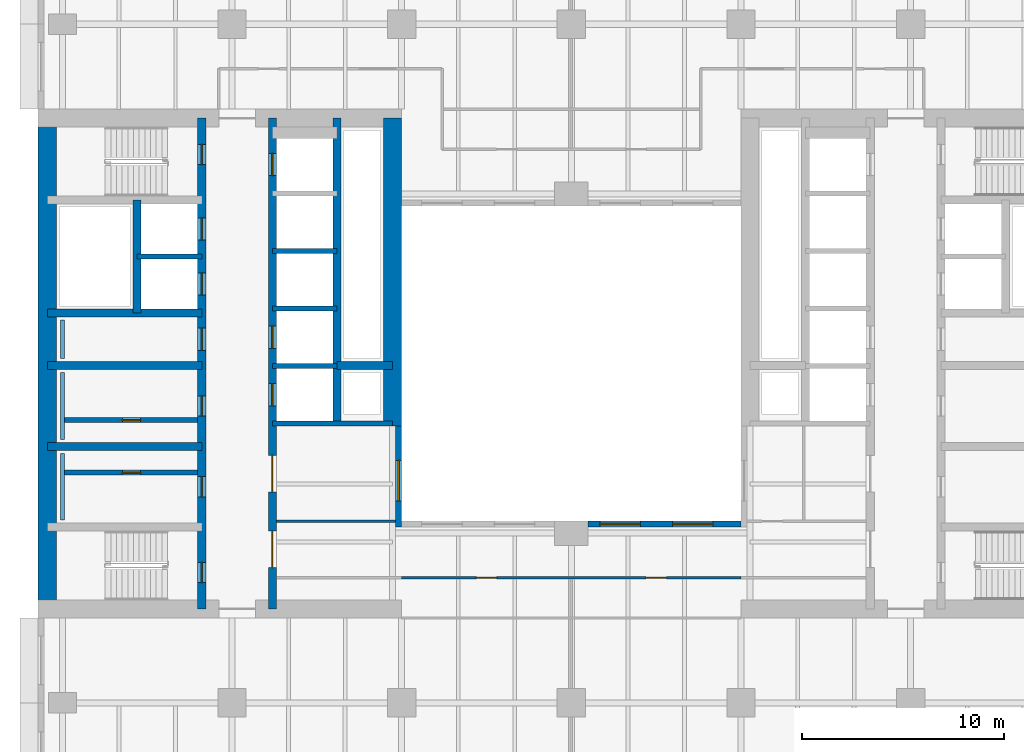
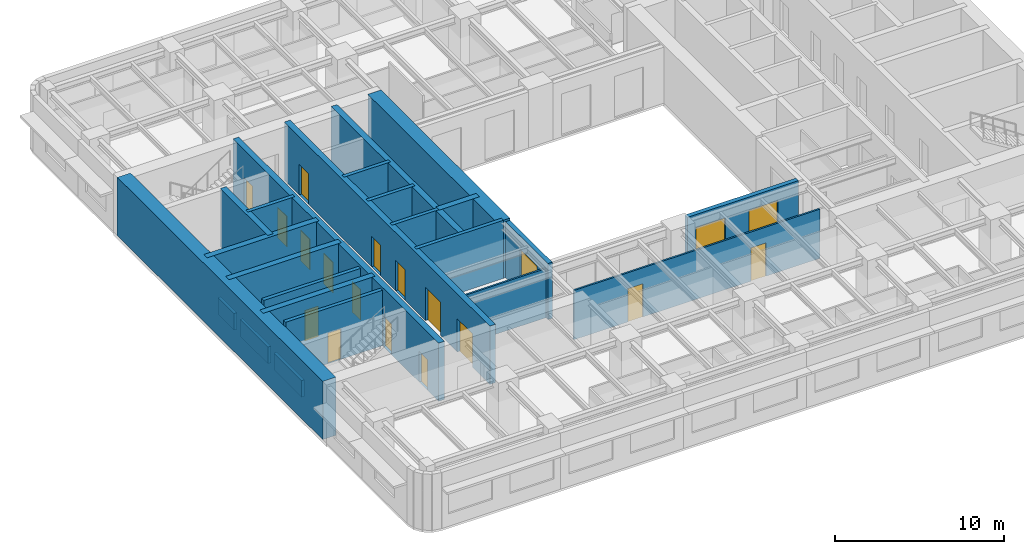
# One storey, part 4 of 11: 24 walls, 16 doors, 3 windows, 19 openings.
"""IFC4 building model written with IfcOpenShell, lengths in metres."""

from ifc_helpers import new_model, si_unit, direction, frame, frame_2d, origin, place, context, subcontext, project, spatial, rectangle, extrude, material, layer, layer_set, type_object, element, fill, save


model = new_model("IFC4")

# Units and contexts
model_context = context("Model", 3, precision=1e-05, world=origin(), true_north=direction((0.0, 1.0)))
body_context = subcontext(model_context, "Body", "Model", "MODEL_VIEW")
ifc_project = project(units=[si_unit("LENGTHUNIT", "METRE"), si_unit("AREAUNIT", "SQUARE_METRE"), si_unit("VOLUMEUNIT", "CUBIC_METRE"), si_unit("PLANEANGLEUNIT", "RADIAN"), si_unit("MASSUNIT", "GRAM", prefix="KILO")], contexts=[model_context])

# Site, building, storey
site_placement = place(None, origin())
site = spatial("IfcSite", under=ifc_project, at=site_placement, CompositionType="ELEMENT")
building_placement = place(site_placement, origin())
building = spatial("IfcBuilding", under=site, at=building_placement, Name="Claustro Exchange Tower", CompositionType="ELEMENT")
storey_placement = place(building_placement, frame((0.0, 0.0, 138.60009765625)))
storey = spatial("IfcBuildingStorey", under=building, at=storey_placement, Name="L31", CompositionType="ELEMENT", Elevation=138.60009765625)

# Wall
ifc_material_1 = material(Name="Laminated glass in aluminium frame", Category="aluminium")
ifc_layer_1 = layer(ifc_material_1, 0.1201171875)
ifc_layer_set_1 = layer_set([ifc_layer_1], Name="Laminated glass in aluminium frame")
wall_type_1 = type_object("IfcWallType", Name="P2 120 glazed partition", PredefinedType="PARTITIONING", material=ifc_layer_set_1)
wall_1_placement = place(storey_placement, frame((10.597900390625, 17.39990234375, 0.0), z_axis=(0.0, 0.0, 1.0), x_axis=(1.0, 0.0, 0.0)))
element("IfcWall", 1, at=wall_1_placement, inside=storey, type_object=wall_type_1, Name="Partition P2 L31", PredefinedType="PARTITIONING", context=body_context, shape_type="SweptSolid", body=[
    extrude(rectangle(XDim=5.904052734375, YDim=0.1201171875, at=frame_2d((2.9521484375, 0.0))), origin(), (0.0, 0.0, 1.0), 3.5498046875),
])

# Wall, openings, doors
wall_2_placement = place(storey_placement, frame((16.798095703125, 14.60009765625, 0.0), z_axis=(0.0, 0.0, 1.0), x_axis=(1.0, 0.0, 0.0)))
wall_2 = element("IfcWall", 2, at=wall_2_placement, inside=storey, type_object=wall_type_1, Name="Partition P2 L31", PredefinedType="PARTITIONING", context=body_context, shape_type="SweptSolid", body=[
    extrude(rectangle(XDim=16.803955078125, YDim=0.1201171875, at=frame_2d((8.40185546875, 0.0))), origin(), (0.0, 0.0, 1.0), 3.5498046875),
])
opening_1_placement = place(wall_2_placement, frame((3.701904296875, 0.0, 0.0)))
opening_1 = element("IfcOpeningElement", 3, at=opening_1_placement, cuts=wall_2, Name="Opening D7", PredefinedType="OPENING", context=body_context, shape_type="SweptSolid", body=[
    extrude(rectangle(XDim=1.0, YDim=2.39990234375, at=frame_2d((0.5, 1.199951171875))), frame((0.0, 0.070068359375, 0.0), z_axis=(0.0, -1.0, 0.0), x_axis=(1.0, 0.0, 0.0)), (0.0, 0.0, 1.0), 0.14013671875),
])
opening_2_placement = place(wall_2_placement, frame((12.10205078125, 0.0, 0.0)))
opening_2 = element("IfcOpeningElement", 4, at=opening_2_placement, cuts=wall_2, Name="Opening D7", PredefinedType="OPENING", context=body_context, shape_type="SweptSolid", body=[
    extrude(rectangle(XDim=1.0, YDim=2.39990234375, at=frame_2d((0.5, 1.199951171875))), frame((0.0, 0.070068359375, 0.0), z_axis=(0.0, -1.0, 0.0), x_axis=(1.0, 0.0, 0.0)), (0.0, 0.0, 1.0), 0.14013671875),
])
ifc_material_2 = material(Name="Glass door in aluminium frame", Category="aluminium")
door_type_1 = type_object("IfcDoorType", Name="D7 1000 x 2400 glazed door", OperationType="SINGLE_SWING_LEFT", PredefinedType="DOOR", material=ifc_material_2)
door_1_placement = place(opening_1_placement, frame((1.0, 0.0, 0.0), z_axis=(0.0, 0.0, 1.0), x_axis=(-1.0, 0.0, 0.0)))
door_1 = element("IfcDoor", 5, at=door_1_placement, inside=storey, type_object=door_type_1, Name="Door D7 L31", OperationType="SINGLE_SWING_RIGHT", OverallHeight=2.39990234375, OverallWidth=1.0, PredefinedType="DOOR", context=body_context, shape_type="SweptSolid", body=[
    extrude(rectangle(XDim=1.0, YDim=2.39990234375, at=frame_2d((0.5, 1.199951171875))), frame((0.0, 0.02490234375, 0.0), z_axis=(0.0, -1.0, 0.0), x_axis=(1.0, 0.0, 0.0)), (0.0, 0.0, 1.0), 0.050048828125),
])
fill(opening_1, door_1)
door_2_placement = place(opening_2_placement, frame((1.0, 0.0, 0.0), z_axis=(0.0, 0.0, 1.0), x_axis=(-1.0, 0.0, 0.0)))
door_2 = element("IfcDoor", 6, at=door_2_placement, inside=storey, type_object=door_type_1, Name="Door D7 L31", OperationType="SINGLE_SWING_RIGHT", OverallHeight=2.39990234375, OverallWidth=1.0, PredefinedType="DOOR", context=body_context, shape_type="SweptSolid", body=[
    extrude(rectangle(XDim=1.0, YDim=2.39990234375, at=frame_2d((0.5, 1.199951171875))), frame((0.0, 0.02490234375, 0.0), z_axis=(0.0, -1.0, 0.0), x_axis=(1.0, 0.0, 0.0)), (0.0, 0.0, 1.0), 0.050048828125),
])
fill(opening_2, door_2)

# Wall, opening, door
ifc_material_3 = material(Name="Concrete blockwork, rendered", Category="masonry")
ifc_layer_2 = layer(ifc_material_3, 0.25)
ifc_layer_set_2 = layer_set([ifc_layer_2], Name="Concrete blockwork, rendered")
wall_type_2 = type_object("IfcWallType", Name="P4 250 blockwork wall", PredefinedType="PARTITIONING", material=ifc_layer_set_2)
wall_3_placement = place(storey_placement, frame((0.10009765625, 22.39990234375, 0.0), z_axis=(0.0, 0.0, 1.0), x_axis=(1.0, 0.0, 0.0)))
wall_3 = element("IfcWall", 7, at=wall_3_placement, inside=storey, type_object=wall_type_2, Name="Partition P4 L31", PredefinedType="PARTITIONING", context=body_context, shape_type="SweptSolid", body=[
    extrude(rectangle(XDim=6.599853515625, YDim=0.25, at=frame_2d((3.2998046875, 0.0))), origin(), (0.0, 0.0, 1.0), 4.0),
])
opening_3_placement = place(wall_3_placement, frame((2.875, 0.0, 0.0)))
opening_3 = element("IfcOpeningElement", 8, at=opening_3_placement, cuts=wall_3, Name="Opening D5", PredefinedType="OPENING", context=body_context, shape_type="SweptSolid", body=[
    extrude(rectangle(XDim=0.89990234375, YDim=2.199951171875, at=frame_2d((0.449951171875, 1.10009765625))), frame((0.0, 0.135009765625, 0.0), z_axis=(0.0, -1.0, 0.0), x_axis=(1.0, 0.0, 0.0)), (0.0, 0.0, 1.0), 0.27001953125),
])
ifc_material_4 = material(Name="Steel door, painted", Category="steel")
door_type_2 = type_object("IfcDoorType", Name="D5 900 x 2200 store door", OperationType="SINGLE_SWING_LEFT", PredefinedType="DOOR", material=ifc_material_4)
door_3_placement = place(opening_3_placement, frame((0.89990234375, 0.0, 0.0), z_axis=(0.0, 0.0, 1.0), x_axis=(-1.0, 0.0, 0.0)))
door_3 = element("IfcDoor", 9, at=door_3_placement, inside=storey, type_object=door_type_2, Name="Store door D5 L31", OperationType="SINGLE_SWING_RIGHT", OverallHeight=2.199951171875, OverallWidth=0.89990234375, PredefinedType="DOOR", context=body_context, shape_type="SweptSolid", body=[
    extrude(rectangle(XDim=0.89990234375, YDim=2.199951171875, at=frame_2d((0.449951171875, 1.10009765625))), frame((0.0, 0.02490234375, 0.0), z_axis=(0.0, -1.0, 0.0), x_axis=(1.0, 0.0, 0.0)), (0.0, 0.0, 1.0), 0.050048828125),
])
fill(opening_3, door_3)

wall_4_placement = place(storey_placement, frame((0.10009765625, 19.800048828125, 0.0), z_axis=(0.0, 0.0, 1.0), x_axis=(1.0, 0.0, 0.0)))
wall_4 = element("IfcWall", 10, at=wall_4_placement, inside=storey, type_object=wall_type_2, Name="Partition P4 L31", PredefinedType="PARTITIONING", context=body_context, shape_type="SweptSolid", body=[
    extrude(rectangle(XDim=6.599853515625, YDim=0.25, at=frame_2d((3.2998046875, 0.0))), origin(), (0.0, 0.0, 1.0), 4.0),
])
opening_4_placement = place(wall_4_placement, frame((2.875, 0.0, 0.0)))
opening_4 = element("IfcOpeningElement", 11, at=opening_4_placement, cuts=wall_4, Name="Opening D5", PredefinedType="OPENING", context=body_context, shape_type="SweptSolid", body=[
    extrude(rectangle(XDim=0.89990234375, YDim=2.199951171875, at=frame_2d((0.449951171875, 1.10009765625))), frame((0.0, 0.135009765625, 0.0), z_axis=(0.0, -1.0, 0.0), x_axis=(1.0, 0.0, 0.0)), (0.0, 0.0, 1.0), 0.27001953125),
])
door_4_placement = place(opening_4_placement, origin())
door_4 = element("IfcDoor", 12, at=door_4_placement, inside=storey, type_object=door_type_2, Name="Store door D5 L31", OperationType="SINGLE_SWING_LEFT", OverallHeight=2.199951171875, OverallWidth=0.89990234375, PredefinedType="DOOR", context=body_context, shape_type="SweptSolid", body=[
    extrude(rectangle(XDim=0.89990234375, YDim=2.199951171875, at=frame_2d((0.449951171875, 1.10009765625))), frame((0.0, 0.02490234375, 0.0), z_axis=(0.0, -1.0, 0.0), x_axis=(1.0, 0.0, 0.0)), (0.0, 0.0, 1.0), 0.050048828125),
])
fill(opening_4, door_4)

# Wall, opening, window
ifc_material_5 = material(Name="Concrete HA-40 (C40/50), precast, white cement, acid-etched", Category="concrete")
ifc_layer_3 = layer(ifc_material_5, 0.300048828125)
ifc_layer_set_3 = layer_set([ifc_layer_3], Name="Concrete HA-40 (C40/50), precast, white cement, acid-etched")
wall_type_3 = type_object("IfcWallType", Name="PC1 300 precast concrete pier panel", PredefinedType="SOLIDWALL", material=ifc_layer_set_3)
wall_5_placement = place(storey_placement, frame((16.64990234375, 17.10009765625, 0.0), z_axis=(0.0, 0.0, 1.0), x_axis=(0.0, 1.0, 0.0)))
wall_5 = element("IfcWall", 13, at=wall_5_placement, inside=storey, type_object=wall_type_3, Name="Precast pier panel PC1 L31", PredefinedType="SOLIDWALL", context=body_context, shape_type="SweptSolid", body=[
    extrude(rectangle(XDim=5.0, YDim=0.300048828125, at=frame_2d((2.5, 0.0))), origin(), (0.0, 0.0, 1.0), 4.0498046875),
])
opening_5_placement = place(wall_5_placement, frame((1.300048828125, 0.0, 0.10009765625)))
opening_5 = element("IfcOpeningElement", 14, at=opening_5_placement, cuts=wall_5, Name="Opening W-A", PredefinedType="OPENING", context=body_context, shape_type="SweptSolid", body=[
    extrude(rectangle(XDim=2.0, YDim=3.0, at=frame_2d((1.0, 1.5))), frame((0.0, 0.159912109375, 0.0), z_axis=(0.0, -1.0, 0.0), x_axis=(1.0, 0.0, 0.0)), (0.0, 0.0, 1.0), 0.320068359375),
])
ifc_material_6 = material(Name="Aluminium frame, clear double glazing", Category="aluminium")
window_type = type_object("IfcWindowType", Name="W-A 2000 x 3000 arcade window", PartitioningType="SINGLE_PANEL", PredefinedType="WINDOW", material=ifc_material_6)
window_1_placement = place(opening_5_placement, origin())
window_1 = element("IfcWindow", 15, at=window_1_placement, inside=storey, type_object=window_type, Name="Window W-A L31", OverallHeight=3.0, OverallWidth=2.0, PartitioningType="SINGLE_PANEL", PredefinedType="WINDOW", context=body_context, shape_type="SweptSolid", body=[
    extrude(rectangle(XDim=2.0, YDim=3.0, at=frame_2d((1.0, 1.5))), frame((0.0, 0.030029296875, 0.0), z_axis=(0.0, -1.0, 0.0), x_axis=(1.0, 0.0, 0.0)), (0.0, 0.0, 1.0), 0.06005859375),
])
fill(opening_5, window_1)

# Wall, openings, windows
wall_6_placement = place(storey_placement, frame((26.02490234375, 17.25, 0.0), z_axis=(0.0, 0.0, 1.0), x_axis=(1.0, 0.0, 0.0)))
wall_6 = element("IfcWall", 16, at=wall_6_placement, inside=storey, type_object=wall_type_3, Name="Precast pier panel PC1 L31", PredefinedType="SOLIDWALL", context=body_context, shape_type="SweptSolid", body=[
    extrude(rectangle(XDim=7.5751953125, YDim=0.300048828125, at=frame_2d((3.78759765625, 0.0))), origin(), (0.0, 0.0, 1.0), 4.0498046875),
])
opening_6_placement = place(wall_6_placement, frame((0.58740234375, 0.0, 0.10009765625)))
opening_6 = element("IfcOpeningElement", 17, at=opening_6_placement, cuts=wall_6, Name="Opening W-A", PredefinedType="OPENING", context=body_context, shape_type="SweptSolid", body=[
    extrude(rectangle(XDim=2.0, YDim=3.0, at=frame_2d((1.0, 1.5))), frame((0.0, 0.159912109375, 0.0), z_axis=(0.0, -1.0, 0.0), x_axis=(1.0, 0.0, 0.0)), (0.0, 0.0, 1.0), 0.320068359375),
])
opening_7_placement = place(wall_6_placement, frame((4.1875, 0.0, 0.10009765625)))
opening_7 = element("IfcOpeningElement", 18, at=opening_7_placement, cuts=wall_6, Name="Opening W-A", PredefinedType="OPENING", context=body_context, shape_type="SweptSolid", body=[
    extrude(rectangle(XDim=2.0, YDim=3.0, at=frame_2d((1.0, 1.5))), frame((0.0, 0.159912109375, 0.0), z_axis=(0.0, -1.0, 0.0), x_axis=(1.0, 0.0, 0.0)), (0.0, 0.0, 1.0), 0.320068359375),
])
window_2_placement = place(opening_6_placement, origin())
window_2 = element("IfcWindow", 19, at=window_2_placement, inside=storey, type_object=window_type, Name="Window W-A L31", OverallHeight=3.0, OverallWidth=2.0, PartitioningType="SINGLE_PANEL", PredefinedType="WINDOW", context=body_context, shape_type="SweptSolid", body=[
    extrude(rectangle(XDim=2.0, YDim=3.0, at=frame_2d((1.0, 1.5))), frame((0.0, 0.030029296875, 0.0), z_axis=(0.0, -1.0, 0.0), x_axis=(1.0, 0.0, 0.0)), (0.0, 0.0, 1.0), 0.06005859375),
])
fill(opening_6, window_2)
window_3_placement = place(opening_7_placement, origin())
window_3 = element("IfcWindow", 20, at=window_3_placement, inside=storey, type_object=window_type, Name="Window W-A L31", OverallHeight=3.0, OverallWidth=2.0, PartitioningType="SINGLE_PANEL", PredefinedType="WINDOW", context=body_context, shape_type="SweptSolid", body=[
    extrude(rectangle(XDim=2.0, YDim=3.0, at=frame_2d((1.0, 1.5))), frame((0.0, 0.030029296875, 0.0), z_axis=(0.0, -1.0, 0.0), x_axis=(1.0, 0.0, 0.0)), (0.0, 0.0, 1.0), 0.06005859375),
])
fill(opening_7, window_3)

# Walls
ifc_material_7 = material(Name="Gypsum board on steel studs, tiled", Category="steel")
ifc_layer_4 = layer(ifc_material_7, 0.199951171875)
ifc_layer_set_4 = layer_set([ifc_layer_4], Name="Gypsum board on steel studs, tiled")
wall_type_4 = type_object("IfcWallType", Name="PW1 200 WC duct wall", PredefinedType="PLUMBINGWALL", material=ifc_layer_set_4)
for number, where, z_axis, x_axis, name in (
    (21, (0.0, 17.449951171875, 0.0), (0.0, 0.0, 1.0), (0.0, 1.0, 0.0), "WC duct wall PW1 L31"),
    (22, (0.0, 21.449951171875, 0.0), (0.0, 0.0, 1.0), (0.0, 1.0, 0.0), "WC duct wall PW1 L31"),
):
    element("IfcWall", number, at=place(storey_placement, frame(where, z_axis=z_axis, x_axis=x_axis)), inside=storey, type_object=wall_type_4, Name=name, PredefinedType="PLUMBINGWALL", context=body_context, shape_type="SweptSolid", body=[
        extrude(rectangle(XDim=3.300048828125, YDim=0.199951171875, at=frame_2d((1.64990234375, 0.0))), origin(), (0.0, 0.0, 1.0), 1.199951171875),
    ])
wall_7_placement = place(storey_placement, frame((0.0, 25.449951171875, 0.0), z_axis=(0.0, 0.0, 1.0), x_axis=(0.0, 1.0, 0.0)))
element("IfcWall", 23, at=wall_7_placement, inside=storey, type_object=wall_type_4, Name="WC duct wall PW1 L31", PredefinedType="PLUMBINGWALL", context=body_context, shape_type="SweptSolid", body=[
    extrude(rectangle(XDim=1.900146484375, YDim=0.199951171875, at=frame_2d((0.9501953125, 0.0))), origin(), (0.0, 0.0, 1.0), 1.199951171875),
])
ifc_material_8 = material(Name="Concrete HA-70 (C70/85)", Category="concrete")
ifc_layer_5 = layer(ifc_material_8, 0.89990234375)
ifc_layer_set_5 = layer_set([ifc_layer_5], Name="Concrete HA-70 (C70/85)")
wall_type_5 = type_object("IfcWallType", Name="SW1X 900 exposed core shear wall, board-marked face", PredefinedType="SHEAR", material=ifc_layer_set_5)
wall_8_placement = place(storey_placement, frame((-0.75, 13.050048828125, 0.0), z_axis=(0.0, 0.0, 1.0), x_axis=(0.0, 1.0, 0.0)))
element("IfcWall", 24, at=wall_8_placement, inside=storey, type_object=wall_type_5, Name="Core wall SW1X W core W face L31", PredefinedType="SHEAR", context=body_context, shape_type="SweptSolid", body=[
    extrude(rectangle(XDim=24.300048828125, YDim=0.89990234375, at=frame_2d((12.14990234375, 0.0))), origin(), (0.0, 0.0, 1.0), 4.199951171875),
])
wall_9_placement = place(storey_placement, frame((16.35009765625, 22.10009765625, 0.0), z_axis=(0.0, 0.0, 1.0), x_axis=(0.0, 1.0, 0.0)))
element("IfcWall", 25, at=wall_9_placement, inside=storey, type_object=wall_type_5, Name="Core wall SW1X W core E face L31", PredefinedType="SHEAR", context=body_context, shape_type="SweptSolid", body=[
    extrude(rectangle(XDim=15.25, YDim=0.89990234375, at=frame_2d((7.625, 0.0))), origin(), (0.0, 0.0, 1.0), 4.199951171875),
])

# Wall, openings, doors
ifc_material_9 = material(Name="Concrete HA-50 (C50/60)", Category="concrete")
ifc_layer_6 = layer(ifc_material_9, 0.39990234375)
ifc_layer_set_6 = layer_set([ifc_layer_6], Name="Concrete HA-50 (C50/60)")
wall_type_6 = type_object("IfcWallType", Name="SW4 400 internal core wall", PredefinedType="SHEAR", material=ifc_layer_set_6)
wall_10_placement = place(storey_placement, frame((6.89990234375, 13.050048828125, 0.0), z_axis=(0.0, 0.0, 1.0), x_axis=(0.0, 1.0, 0.0)))
wall_10 = element("IfcWall", 26, at=wall_10_placement, inside=storey, type_object=wall_type_6, Name="Internal core wall SW4 W core L31", PredefinedType="SHEAR", context=body_context, shape_type="SweptSolid", body=[
    extrude(rectangle(XDim=24.300048828125, YDim=0.39990234375, at=frame_2d((12.14990234375, 0.0))), origin(), (0.0, 0.0, 1.0), 4.199951171875),
])
opening_8_placement = place(wall_10_placement, frame((1.300048828125, 0.0, 0.0)))
opening_8 = element("IfcOpeningElement", 27, at=opening_8_placement, cuts=wall_10, Name="Opening D4", PredefinedType="OPENING", context=body_context, shape_type="SweptSolid", body=[
    extrude(rectangle(XDim=1.0, YDim=2.199951171875, at=frame_2d((0.5, 1.10009765625))), frame((0.0, 0.2099609375, 0.0), z_axis=(0.0, -1.0, 0.0), x_axis=(1.0, 0.0, 0.0)), (0.0, 0.0, 1.0), 0.419921875),
])
opening_9_placement = place(wall_10_placement, frame((22.0, 0.0, 0.0)))
opening_9 = element("IfcOpeningElement", 28, at=opening_9_placement, cuts=wall_10, Name="Opening D4", PredefinedType="OPENING", context=body_context, shape_type="SweptSolid", body=[
    extrude(rectangle(XDim=1.0, YDim=2.199951171875, at=frame_2d((0.5, 1.10009765625))), frame((0.0, 0.2099609375, 0.0), z_axis=(0.0, -1.0, 0.0), x_axis=(1.0, 0.0, 0.0)), (0.0, 0.0, 1.0), 0.419921875),
])
opening_10_placement = place(wall_10_placement, frame((5.550048828125, 0.0, 0.0)))
opening_10 = element("IfcOpeningElement", 29, at=opening_10_placement, cuts=wall_10, Name="Opening D1", PredefinedType="OPENING", context=body_context, shape_type="SweptSolid", body=[
    extrude(rectangle(XDim=1.0, YDim=2.199951171875, at=frame_2d((0.5, 1.10009765625))), frame((0.0, 0.2099609375, 0.0), z_axis=(0.0, -1.0, 0.0), x_axis=(1.0, 0.0, 0.0)), (0.0, 0.0, 1.0), 0.419921875),
])
opening_11_placement = place(wall_10_placement, frame((9.550048828125, 0.0, 0.0)))
opening_11 = element("IfcOpeningElement", 30, at=opening_11_placement, cuts=wall_10, Name="Opening D1", PredefinedType="OPENING", context=body_context, shape_type="SweptSolid", body=[
    extrude(rectangle(XDim=1.0, YDim=2.199951171875, at=frame_2d((0.5, 1.10009765625))), frame((0.0, 0.2099609375, 0.0), z_axis=(0.0, -1.0, 0.0), x_axis=(1.0, 0.0, 0.0)), (0.0, 0.0, 1.0), 0.419921875),
])
opening_12_placement = place(wall_10_placement, frame((12.800048828125, 0.0, 0.0)))
opening_12 = element("IfcOpeningElement", 31, at=opening_12_placement, cuts=wall_10, Name="Opening D10", PredefinedType="OPENING", context=body_context, shape_type="SweptSolid", body=[
    extrude(rectangle(XDim=1.10009765625, YDim=2.199951171875, at=frame_2d((0.550048828125, 1.10009765625))), frame((0.0, 0.2099609375, 0.0), z_axis=(0.0, -1.0, 0.0), x_axis=(1.0, 0.0, 0.0)), (0.0, 0.0, 1.0), 0.419921875),
])
opening_13_placement = place(wall_10_placement, frame((15.53759765625, 0.0, 0.0)))
opening_13 = element("IfcOpeningElement", 32, at=opening_13_placement, cuts=wall_10, Name="Opening LD", PredefinedType="OPENING", context=body_context, shape_type="SweptSolid", body=[
    extrude(rectangle(XDim=1.10009765625, YDim=2.199951171875, at=frame_2d((0.550048828125, 1.10009765625))), frame((0.0, 0.2099609375, 0.0), z_axis=(0.0, -1.0, 0.0), x_axis=(1.0, 0.0, 0.0)), (0.0, 0.0, 1.0), 0.419921875),
])
opening_14_placement = place(wall_10_placement, frame((18.262451171875, 0.0, 0.0)))
opening_14 = element("IfcOpeningElement", 33, at=opening_14_placement, cuts=wall_10, Name="Opening LD", PredefinedType="OPENING", context=body_context, shape_type="SweptSolid", body=[
    extrude(rectangle(XDim=1.10009765625, YDim=2.199951171875, at=frame_2d((0.550048828125, 1.10009765625))), frame((0.0, 0.2099609375, 0.0), z_axis=(0.0, -1.0, 0.0), x_axis=(1.0, 0.0, 0.0)), (0.0, 0.0, 1.0), 0.419921875),
])
ifc_material_10 = material(Name="Timber door, oak veneer", Category="wood")
door_type_3 = type_object("IfcDoorType", Name="D1 1000 x 2200 single door", OperationType="SINGLE_SWING_LEFT", PredefinedType="DOOR", material=ifc_material_10)
door_5_placement = place(opening_10_placement, origin())
door_5 = element("IfcDoor", 34, at=door_5_placement, inside=storey, type_object=door_type_3, Name="Door D1 L31", OperationType="SINGLE_SWING_RIGHT", OverallHeight=2.199951171875, OverallWidth=1.0, PredefinedType="DOOR", context=body_context, shape_type="SweptSolid", body=[
    extrude(rectangle(XDim=1.0, YDim=2.199951171875, at=frame_2d((0.5, 1.10009765625))), frame((0.0, 0.02490234375, 0.0), z_axis=(0.0, -1.0, 0.0), x_axis=(1.0, 0.0, 0.0)), (0.0, 0.0, 1.0), 0.050048828125),
])
fill(opening_10, door_5)
door_6_placement = place(opening_11_placement, origin())
door_6 = element("IfcDoor", 35, at=door_6_placement, inside=storey, type_object=door_type_3, Name="Door D1 L31", OperationType="SINGLE_SWING_LEFT", OverallHeight=2.199951171875, OverallWidth=1.0, PredefinedType="DOOR", context=body_context, shape_type="SweptSolid", body=[
    extrude(rectangle(XDim=1.0, YDim=2.199951171875, at=frame_2d((0.5, 1.10009765625))), frame((0.0, 0.02490234375, 0.0), z_axis=(0.0, -1.0, 0.0), x_axis=(1.0, 0.0, 0.0)), (0.0, 0.0, 1.0), 0.050048828125),
])
fill(opening_11, door_6)
ifc_material_11 = material(Name="Timber door, oak veneer", Category="wood")
door_type_4 = type_object("IfcDoorType", Name="D10 1100 x 2200 accessible WC door", OperationType="SINGLE_SWING_LEFT", PredefinedType="DOOR", material=ifc_material_11)
door_7_placement = place(opening_12_placement, frame((1.10009765625, 0.0, 0.0), z_axis=(0.0, 0.0, 1.0), x_axis=(-1.0, 0.0, 0.0)))
door_7 = element("IfcDoor", 36, at=door_7_placement, inside=storey, type_object=door_type_4, Name="Accessible WC door D10 L31", OperationType="SINGLE_SWING_LEFT", OverallHeight=2.199951171875, OverallWidth=1.10009765625, PredefinedType="DOOR", context=body_context, shape_type="SweptSolid", body=[
    extrude(rectangle(XDim=1.10009765625, YDim=2.199951171875, at=frame_2d((0.550048828125, 1.10009765625))), frame((0.0, 0.02490234375, 0.0), z_axis=(0.0, -1.0, 0.0), x_axis=(1.0, 0.0, 0.0)), (0.0, 0.0, 1.0), 0.050048828125),
])
fill(opening_12, door_7)
ifc_material_12 = material(Name="Steel fire door, painted", Category="steel")
door_type_5 = type_object("IfcDoorType", Name="D4 1000 x 2200 fire-rated stair door", OperationType="SINGLE_SWING_LEFT", PredefinedType="DOOR", material=ifc_material_12)
door_8_placement = place(opening_8_placement, origin())
door_8 = element("IfcDoor", 37, at=door_8_placement, inside=storey, type_object=door_type_5, Name="Stair door D4 L31", OperationType="SINGLE_SWING_LEFT", OverallHeight=2.199951171875, OverallWidth=1.0, PredefinedType="DOOR", context=body_context, shape_type="SweptSolid", body=[
    extrude(rectangle(XDim=1.0, YDim=2.199951171875, at=frame_2d((0.5, 1.10009765625))), frame((0.0, 0.02490234375, 0.0), z_axis=(0.0, -1.0, 0.0), x_axis=(1.0, 0.0, 0.0)), (0.0, 0.0, 1.0), 0.050048828125),
])
fill(opening_8, door_8)
door_9_placement = place(opening_9_placement, origin())
door_9 = element("IfcDoor", 38, at=door_9_placement, inside=storey, type_object=door_type_5, Name="Stair door D4 L31", OperationType="SINGLE_SWING_RIGHT", OverallHeight=2.199951171875, OverallWidth=1.0, PredefinedType="DOOR", context=body_context, shape_type="SweptSolid", body=[
    extrude(rectangle(XDim=1.0, YDim=2.199951171875, at=frame_2d((0.5, 1.10009765625))), frame((0.0, 0.02490234375, 0.0), z_axis=(0.0, -1.0, 0.0), x_axis=(1.0, 0.0, 0.0)), (0.0, 0.0, 1.0), 0.050048828125),
])
fill(opening_9, door_9)
ifc_material_13 = material(Name="Stainless steel sliding door", Category="steel")
door_type_6 = type_object("IfcDoorType", Name="LD 1100 x 2200 lift landing door", OperationType="DOUBLE_DOOR_SLIDING", PredefinedType="DOOR", material=ifc_material_13)
door_10_placement = place(opening_13_placement, origin())
door_10 = element("IfcDoor", 39, at=door_10_placement, inside=storey, type_object=door_type_6, Name="Lift landing door LEW1 LD L31", OperationType="DOUBLE_DOOR_SLIDING", OverallHeight=2.199951171875, OverallWidth=1.10009765625, PredefinedType="DOOR", context=body_context, shape_type="SweptSolid", body=[
    extrude(rectangle(XDim=1.10009765625, YDim=2.199951171875, at=frame_2d((0.550048828125, 1.10009765625))), frame((0.0, 0.02490234375, 0.0), z_axis=(0.0, -1.0, 0.0), x_axis=(1.0, 0.0, 0.0)), (0.0, 0.0, 1.0), 0.050048828125),
])
fill(opening_13, door_10)
door_11_placement = place(opening_14_placement, origin())
door_11 = element("IfcDoor", 40, at=door_11_placement, inside=storey, type_object=door_type_6, Name="Lift landing door LEW2 LD L31", OperationType="DOUBLE_DOOR_SLIDING", OverallHeight=2.199951171875, OverallWidth=1.10009765625, PredefinedType="DOOR", context=body_context, shape_type="SweptSolid", body=[
    extrude(rectangle(XDim=1.10009765625, YDim=2.199951171875, at=frame_2d((0.550048828125, 1.10009765625))), frame((0.0, 0.02490234375, 0.0), z_axis=(0.0, -1.0, 0.0), x_axis=(1.0, 0.0, 0.0)), (0.0, 0.0, 1.0), 0.050048828125),
])
fill(opening_14, door_11)

wall_11_placement = place(storey_placement, frame((10.39990234375, 13.050048828125, 0.0), z_axis=(0.0, 0.0, 1.0), x_axis=(0.0, 1.0, 0.0)))
wall_11 = element("IfcWall", 41, at=wall_11_placement, inside=storey, type_object=wall_type_6, Name="Internal core wall SW4 W core L31", PredefinedType="SHEAR", context=body_context, shape_type="SweptSolid", body=[
    extrude(rectangle(XDim=24.300048828125, YDim=0.39990234375, at=frame_2d((12.14990234375, 0.0))), origin(), (0.0, 0.0, 1.0), 4.199951171875),
])
opening_15_placement = place(wall_11_placement, frame((10.050048828125, 0.0, 0.0)))
opening_15 = element("IfcOpeningElement", 42, at=opening_15_placement, cuts=wall_11, Name="Opening LD", PredefinedType="OPENING", context=body_context, shape_type="SweptSolid", body=[
    extrude(rectangle(XDim=1.10009765625, YDim=2.199951171875, at=frame_2d((0.550048828125, 1.10009765625))), frame((0.0, 0.2099609375, 0.0), z_axis=(0.0, -1.0, 0.0), x_axis=(1.0, 0.0, 0.0)), (0.0, 0.0, 1.0), 0.419921875),
])
opening_16_placement = place(wall_11_placement, frame((12.89990234375, 0.0, 0.0)))
opening_16 = element("IfcOpeningElement", 43, at=opening_16_placement, cuts=wall_11, Name="Opening LD", PredefinedType="OPENING", context=body_context, shape_type="SweptSolid", body=[
    extrude(rectangle(XDim=1.10009765625, YDim=2.199951171875, at=frame_2d((0.550048828125, 1.10009765625))), frame((0.0, 0.2099609375, 0.0), z_axis=(0.0, -1.0, 0.0), x_axis=(1.0, 0.0, 0.0)), (0.0, 0.0, 1.0), 0.419921875),
])
opening_17_placement = place(wall_11_placement, frame((21.449951171875, 0.0, 0.0)))
opening_17 = element("IfcOpeningElement", 44, at=opening_17_placement, cuts=wall_11, Name="Opening LD", PredefinedType="OPENING", context=body_context, shape_type="SweptSolid", body=[
    extrude(rectangle(XDim=1.10009765625, YDim=2.199951171875, at=frame_2d((0.550048828125, 1.10009765625))), frame((0.0, 0.2099609375, 0.0), z_axis=(0.0, -1.0, 0.0), x_axis=(1.0, 0.0, 0.0)), (0.0, 0.0, 1.0), 0.419921875),
])
opening_18_placement = place(wall_11_placement, frame((2.050048828125, 0.0, 0.0)))
opening_18 = element("IfcOpeningElement", 45, at=opening_18_placement, cuts=wall_11, Name="Opening D3", PredefinedType="OPENING", context=body_context, shape_type="SweptSolid", body=[
    extrude(rectangle(XDim=1.800048828125, YDim=2.39990234375, at=frame_2d((0.89990234375, 1.199951171875))), frame((0.0, 0.2099609375, 0.0), z_axis=(0.0, -1.0, 0.0), x_axis=(1.0, 0.0, 0.0)), (0.0, 0.0, 1.0), 0.419921875),
])
opening_19_placement = place(wall_11_placement, frame((5.800048828125, 0.0, 0.0)))
opening_19 = element("IfcOpeningElement", 46, at=opening_19_placement, cuts=wall_11, Name="Opening D3", PredefinedType="OPENING", context=body_context, shape_type="SweptSolid", body=[
    extrude(rectangle(XDim=1.800048828125, YDim=2.39990234375, at=frame_2d((0.89990234375, 1.199951171875))), frame((0.0, 0.2099609375, 0.0), z_axis=(0.0, -1.0, 0.0), x_axis=(1.0, 0.0, 0.0)), (0.0, 0.0, 1.0), 0.419921875),
])
ifc_material_14 = material(Name="Steel fire door, painted", Category="steel")
door_type_7 = type_object("IfcDoorType", Name="D3 1800 x 2400 fire-rated lobby double door", OperationType="DOUBLE_DOOR_SINGLE_SWING", PredefinedType="DOOR", material=ifc_material_14)
door_12_placement = place(opening_18_placement, origin())
door_12 = element("IfcDoor", 47, at=door_12_placement, inside=storey, type_object=door_type_7, Name="Core zone door D3 L31", OperationType="DOUBLE_DOOR_SINGLE_SWING", OverallHeight=2.39990234375, OverallWidth=1.800048828125, PredefinedType="DOOR", context=body_context, shape_type="SweptSolid", body=[
    extrude(rectangle(XDim=1.800048828125, YDim=2.39990234375, at=frame_2d((0.89990234375, 1.199951171875))), frame((0.0, 0.02490234375, 0.0), z_axis=(0.0, -1.0, 0.0), x_axis=(1.0, 0.0, 0.0)), (0.0, 0.0, 1.0), 0.050048828125),
])
fill(opening_18, door_12)
door_13_placement = place(opening_19_placement, frame((1.800048828125, 0.0, 0.0), z_axis=(0.0, 0.0, 1.0), x_axis=(-1.0, 0.0, 0.0)))
door_13 = element("IfcDoor", 48, at=door_13_placement, inside=storey, type_object=door_type_7, Name="Core zone door D3 L31", OperationType="DOUBLE_DOOR_SINGLE_SWING", OverallHeight=2.39990234375, OverallWidth=1.800048828125, PredefinedType="DOOR", context=body_context, shape_type="SweptSolid", body=[
    extrude(rectangle(XDim=1.800048828125, YDim=2.39990234375, at=frame_2d((0.89990234375, 1.199951171875))), frame((0.0, 0.02490234375, 0.0), z_axis=(0.0, -1.0, 0.0), x_axis=(1.0, 0.0, 0.0)), (0.0, 0.0, 1.0), 0.050048828125),
])
fill(opening_19, door_13)
door_14_placement = place(opening_15_placement, origin())
door_14 = element("IfcDoor", 49, at=door_14_placement, inside=storey, type_object=door_type_6, Name="Lift landing door LMW1 LD L31", OperationType="DOUBLE_DOOR_SLIDING", OverallHeight=2.199951171875, OverallWidth=1.10009765625, PredefinedType="DOOR", context=body_context, shape_type="SweptSolid", body=[
    extrude(rectangle(XDim=1.10009765625, YDim=2.199951171875, at=frame_2d((0.550048828125, 1.10009765625))), frame((0.0, 0.02490234375, 0.0), z_axis=(0.0, -1.0, 0.0), x_axis=(1.0, 0.0, 0.0)), (0.0, 0.0, 1.0), 0.050048828125),
])
fill(opening_15, door_14)
door_15_placement = place(opening_16_placement, origin())
door_15 = element("IfcDoor", 50, at=door_15_placement, inside=storey, type_object=door_type_6, Name="Lift landing door LMW2 LD L31", OperationType="DOUBLE_DOOR_SLIDING", OverallHeight=2.199951171875, OverallWidth=1.10009765625, PredefinedType="DOOR", context=body_context, shape_type="SweptSolid", body=[
    extrude(rectangle(XDim=1.10009765625, YDim=2.199951171875, at=frame_2d((0.550048828125, 1.10009765625))), frame((0.0, 0.02490234375, 0.0), z_axis=(0.0, -1.0, 0.0), x_axis=(1.0, 0.0, 0.0)), (0.0, 0.0, 1.0), 0.050048828125),
])
fill(opening_16, door_15)
door_16_placement = place(opening_17_placement, origin())
door_16 = element("IfcDoor", 51, at=door_16_placement, inside=storey, type_object=door_type_6, Name="Lift landing door LSW1 LD L31", OperationType="DOUBLE_DOOR_SLIDING", OverallHeight=2.199951171875, OverallWidth=1.10009765625, PredefinedType="DOOR", context=body_context, shape_type="SweptSolid", body=[
    extrude(rectangle(XDim=1.10009765625, YDim=2.199951171875, at=frame_2d((0.550048828125, 1.10009765625))), frame((0.0, 0.02490234375, 0.0), z_axis=(0.0, -1.0, 0.0), x_axis=(1.0, 0.0, 0.0)), (0.0, 0.0, 1.0), 0.050048828125),
])
fill(opening_17, door_16)

# Walls
wall_12_placement = place(storey_placement, frame((13.60009765625, 22.22509765625, 0.0), z_axis=(0.0, 0.0, 1.0), x_axis=(0.0, 1.0, 0.0)))
element("IfcWall", 52, at=wall_12_placement, inside=storey, type_object=wall_type_6, Name="Internal core wall SW4 W core L31", PredefinedType="SHEAR", context=body_context, shape_type="SweptSolid", body=[
    extrude(rectangle(XDim=15.125, YDim=0.39990234375, at=frame_2d((7.5625, 0.0))), origin(), (0.0, 0.0, 1.0), 4.199951171875),
])
for number, where, z_axis, x_axis, name in (
    (53, (-0.75, 21.10009765625, 0.0), (0.0, 0.0, 1.0), (1.0, 0.0, 0.0), "Internal core wall SW4 W core L31"),
    (54, (-0.75, 25.10009765625, 0.0), (0.0, 0.0, 1.0), (1.0, 0.0, 0.0), "Internal core wall SW4 W core L31"),
    (55, (-0.75, 27.699951171875, 0.0), (0.0, 0.0, 1.0), (1.0, 0.0, 0.0), "Internal core wall SW4 W core L31"),
):
    element("IfcWall", number, at=place(storey_placement, frame(where, z_axis=z_axis, x_axis=x_axis)), inside=storey, type_object=wall_type_6, Name=name, PredefinedType="SHEAR", context=body_context, shape_type="SweptSolid", body=[
        extrude(rectangle(XDim=7.64990234375, YDim=0.39990234375, at=frame_2d((3.824951171875, 0.0))), origin(), (0.0, 0.0, 1.0), 4.199951171875),
    ])
wall_13_placement = place(storey_placement, frame((3.699951171875, 27.699951171875, 0.0), z_axis=(0.0, 0.0, 1.0), x_axis=(0.0, 1.0, 0.0)))
element("IfcWall", 56, at=wall_13_placement, inside=storey, type_object=wall_type_6, Name="Internal core wall SW4 W core L31", PredefinedType="SHEAR", context=body_context, shape_type="SweptSolid", body=[
    extrude(rectangle(XDim=5.60009765625, YDim=0.39990234375, at=frame_2d((2.800048828125, 0.0))), origin(), (0.0, 0.0, 1.0), 4.199951171875),
])
wall_14_placement = place(storey_placement, frame((13.60009765625, 25.10009765625, 0.0), z_axis=(0.0, 0.0, 1.0), x_axis=(1.0, 0.0, 0.0)))
element("IfcWall", 57, at=wall_14_placement, inside=storey, type_object=wall_type_6, Name="Internal core wall SW4 W core L31", PredefinedType="SHEAR", context=body_context, shape_type="SweptSolid", body=[
    extrude(rectangle(XDim=2.75, YDim=0.39990234375, at=frame_2d((1.375, 0.0))), origin(), (0.0, 0.0, 1.0), 4.199951171875),
])
ifc_material_15 = material(Name="Concrete HA-50 (C50/60)", Category="concrete")
ifc_layer_7 = layer(ifc_material_15, 0.25)
ifc_layer_set_7 = layer_set([ifc_layer_7], Name="Concrete HA-50 (C50/60)")
wall_type_7 = type_object("IfcWallType", Name="SW5 250 lift shaft divider wall", PredefinedType="SHEAR", material=ifc_layer_set_7)
wall_15_placement = place(storey_placement, frame((3.699951171875, 30.5, 0.0), z_axis=(0.0, 0.0, 1.0), x_axis=(1.0, 0.0, 0.0)))
element("IfcWall", 58, at=wall_15_placement, inside=storey, type_object=wall_type_7, Name="Lift shaft wall W core L31", PredefinedType="SHEAR", context=body_context, shape_type="SweptSolid", body=[
    extrude(rectangle(XDim=3.199951171875, YDim=0.25, at=frame_2d((1.60009765625, 0.0))), origin(), (0.0, 0.0, 1.0), 4.199951171875),
])
wall_16_placement = place(storey_placement, frame((10.39990234375, 22.22509765625, 0.0), z_axis=(0.0, 0.0, 1.0), x_axis=(1.0, 0.0, 0.0)))
element("IfcWall", 59, at=wall_16_placement, inside=storey, type_object=wall_type_7, Name="Core step wall W core L31", PredefinedType="SHEAR", context=body_context, shape_type="SweptSolid", body=[
    extrude(rectangle(XDim=5.9501953125, YDim=0.25, at=frame_2d((2.97509765625, 0.0))), origin(), (0.0, 0.0, 1.0), 4.199951171875),
])
for number, where, z_axis, x_axis, name in (
    (60, (10.39990234375, 25.074951171875, 0.0), (0.0, 0.0, 1.0), (1.0, 0.0, 0.0), "Lift shaft wall W core L31"),
    (61, (10.39990234375, 27.925048828125, 0.0), (0.0, 0.0, 1.0), (1.0, 0.0, 0.0), "Lift shaft wall W core L31"),
    (62, (10.39990234375, 30.77490234375, 0.0), (0.0, 0.0, 1.0), (1.0, 0.0, 0.0), "Lift shaft wall W core L31"),
):
    element("IfcWall", number, at=place(storey_placement, frame(where, z_axis=z_axis, x_axis=x_axis)), inside=storey, type_object=wall_type_7, Name=name, PredefinedType="SHEAR", context=body_context, shape_type="SweptSolid", body=[
        extrude(rectangle(XDim=3.2001953125, YDim=0.25, at=frame_2d((1.60009765625, 0.0))), origin(), (0.0, 0.0, 1.0), 4.199951171875),
    ])

save(model, "model.ifc")
